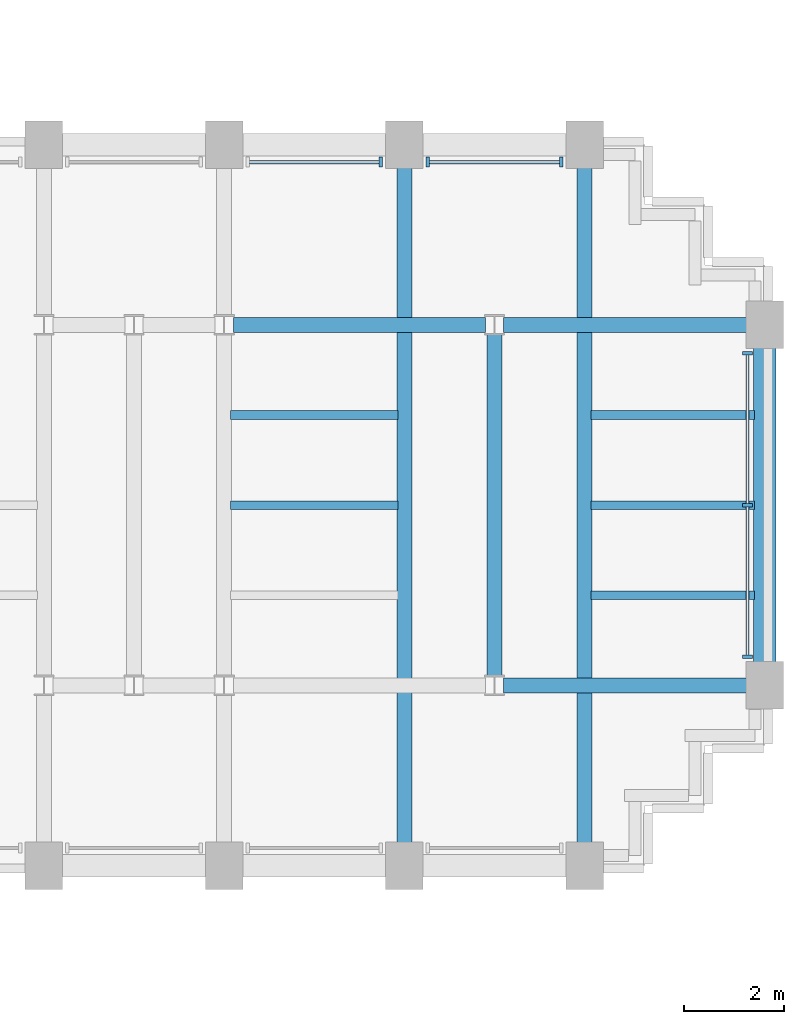
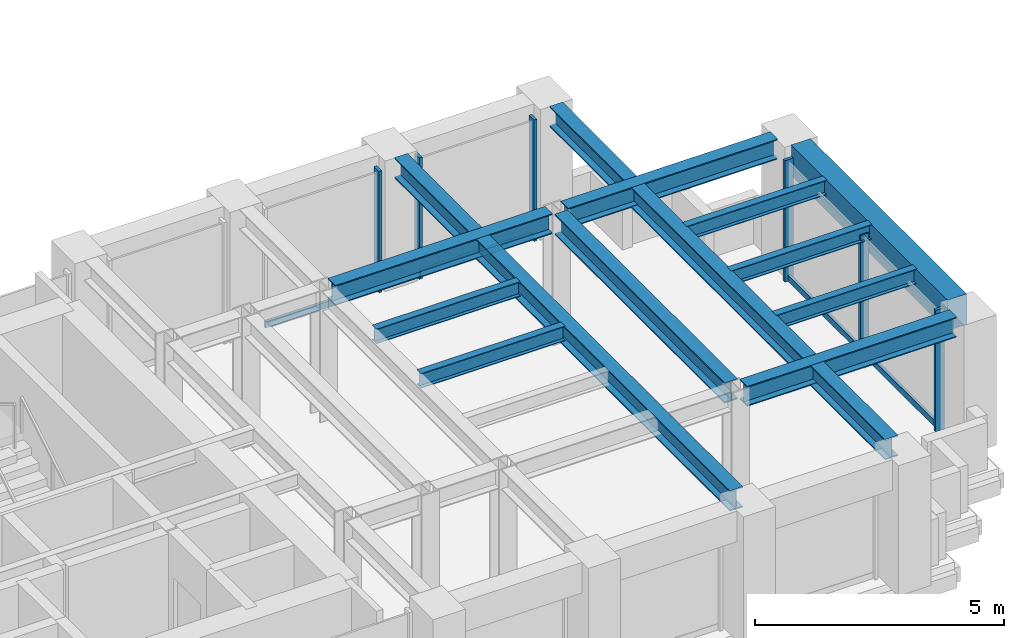
# One storey, part 6 of 16: 12 beams, 10 members, 3 elements without a shape of their own.
"""IFC4 building model written with IfcOpenShell, lengths in metres."""

from ifc_helpers import new_model, si_unit, direction, frame, origin, origin_2d, place, context, subcontext, project, spatial, rectangle, i_section, extrude, source, transform, mapped, material, material_profile, profile_set, type_object, element, aggregate, save


model = new_model("IFC4")

# Units and contexts
model_context = context("Model", 3, precision=1e-05, world=origin(), true_north=direction((0.0, 1.0)))
body_context = subcontext(model_context, "Body", "Model", "MODEL_VIEW")
ifc_project = project(units=[si_unit("LENGTHUNIT", "METRE"), si_unit("AREAUNIT", "SQUARE_METRE"), si_unit("VOLUMEUNIT", "CUBIC_METRE"), si_unit("PLANEANGLEUNIT", "RADIAN"), si_unit("MASSUNIT", "GRAM", prefix="KILO")], contexts=[model_context])

# Site, building, storey
site_placement = place(None, origin())
site = spatial("IfcSite", under=ifc_project, at=site_placement, CompositionType="ELEMENT")
building_placement = place(site_placement, origin())
building = spatial("IfcBuilding", under=site, at=building_placement, Name="Keilestroom Media Tower", CompositionType="ELEMENT")
storey_placement = place(building_placement, frame((0.0, 0.0, 68.0)))
storey = spatial("IfcBuildingStorey", under=building, at=storey_placement, Name="L17", CompositionType="ELEMENT", Elevation=68.0)

# Beams
ifc_material_1 = material(Name="Precast concrete C40/50", Category="concrete")
ifc_material_profile_1 = material_profile(ifc_material_1, rectangle(XDim=0.449951171875, YDim=0.75, at=origin_2d()), Name="PC 450x750")
ifc_profile_set_1 = profile_set([ifc_material_profile_1], Name="Precast concrete C40/50")
beam_type_1 = type_object("IfcBeamType", Name="Perimeter-Spandrel-Beam-PC-450x750", PredefinedType="SPANDREL", material=ifc_profile_set_1)
shared_shape_1 = source(origin(), body_context, "Body", "SweptSolid", [
    extrude(rectangle(XDim=0.449951171875, YDim=0.75, at=origin_2d()), origin(), (0.0, 0.0, 1.0), 6.2900390625),
])
beam_1_placement = place(storey_placement, frame((28.800048828125, -3.14501953125, 2.824951171875), z_axis=(0.0, 1.0, 0.0), x_axis=(-1.0, 0.0, 0.0)))
element("IfcBeam", 1, at=beam_1_placement, inside=storey, type_object=beam_type_1, Name="L17 Beam SPB-1 BM-L17-NS-086", PredefinedType="SPANDREL", context=body_context, shape_type="MappedRepresentation", body=[
    mapped(shared_shape_1, transform((0.0, 0.0, 0.0), x_axis=(1.0, 0.0, 0.0), y_axis=(0.0, 1.0, 0.0), z_axis=(0.0, 0.0, 1.0), scale=1.0)),
])
ifc_material_2 = material(Name="Steel S355", Category="steel")
ifc_material_profile_2 = material_profile(ifc_material_2, i_section(OverallWidth=0.300048828125, OverallDepth=0.5, WebThickness=0.012451171875, FlangeThickness=0.028076171875, at=origin_2d()), Name="HEB 500")
ifc_profile_set_2 = profile_set([ifc_material_profile_2], Name="Steel S355")
beam_type_2 = type_object("IfcBeamType", Name="Primary-Structural-Girder-HEB-500", PredefinedType="BEAM", material=ifc_profile_set_2)
shared_shape_2 = source(origin(), body_context, "Body", "SweptSolid", [
    extrude(i_section(OverallWidth=0.300048828125, OverallDepth=0.5, WebThickness=0.012451171875, FlangeThickness=0.028076171875, at=origin_2d()), origin(), (0.0, 0.0, 1.0), 13.490234375),
])
for number, where, z_axis, x_axis, name in (
    (2, (21.60009765625, -6.7451171875, 2.949951171875), (0.0, 1.0, 0.0), (-1.0, 0.0, 0.0), "L17 Beam BG-6 BM-L17-NS-083"),
    (3, (25.199951171875, -6.7451171875, 2.949951171875), (0.0, 1.0, 0.0), (-1.0, 0.0, 0.0), "L17 Beam BG-6 BM-L17-NS-085"),
):
    element("IfcBeam", number, at=place(storey_placement, frame(where, z_axis=z_axis, x_axis=x_axis)), inside=storey, type_object=beam_type_2, Name=name, PredefinedType="BEAM", context=body_context, shape_type="MappedRepresentation", body=[
        mapped(shared_shape_2, transform((0.0, 0.0, 0.0), x_axis=(1.0, 0.0, 0.0), y_axis=(0.0, 1.0, 0.0), z_axis=(0.0, 0.0, 1.0), scale=1.0)),
    ])
shared_shape_3 = source(origin(), body_context, "Body", "SweptSolid", [
    extrude(i_section(OverallWidth=0.300048828125, OverallDepth=0.5, WebThickness=0.012451171875, FlangeThickness=0.028076171875, at=origin_2d()), origin(), (0.0, 0.0, 1.0), 6.8330078125),
])
beam_2_placement = place(storey_placement, frame((23.39990234375, -3.41650390625, 2.949951171875), z_axis=(0.0, 1.0, 0.0), x_axis=(-1.0, 0.0, 0.0)))
element("IfcBeam", 4, at=beam_2_placement, inside=storey, type_object=beam_type_2, Name="L17 Beam BG-6 BM-L17-NS-084", PredefinedType="BEAM", context=body_context, shape_type="MappedRepresentation", body=[
    mapped(shared_shape_3, transform((0.0, 0.0, 0.0), x_axis=(1.0, 0.0, 0.0), y_axis=(0.0, 1.0, 0.0), z_axis=(0.0, 0.0, 1.0), scale=1.0)),
])
ifc_material_profile_3 = material_profile(ifc_material_2, i_section(OverallWidth=0.300048828125, OverallDepth=0.489990234375, WebThickness=0.011962890625, FlangeThickness=0.02294921875, at=origin_2d()), Name="HEA 500")
ifc_profile_set_3 = profile_set([ifc_material_profile_3], Name="Steel S355")
beam_type_3 = type_object("IfcBeamType", Name="Primary-Structural-Girder-HEA-500", PredefinedType="BEAM", material=ifc_profile_set_3)
shared_shape_4 = source(origin(), body_context, "Body", "SweptSolid", [
    extrude(i_section(OverallWidth=0.300048828125, OverallDepth=0.489990234375, WebThickness=0.011962890625, FlangeThickness=0.02294921875, at=origin_2d()), origin(), (0.0, 0.0, 1.0), 4.863037109375),
])
for number, where, z_axis, x_axis, name in (
    (5, (23.58203125, -3.60009765625, 2.955078125), (1.0, 0.0, 0.0), (0.0, 1.0, 0.0), "L17 Beam BG-10 BM-L17-EW-025"),
    (6, (23.58203125, 3.60009765625, 2.955078125), (1.0, 0.0, 0.0), (0.0, 1.0, 0.0), "L17 Beam BG-10 BM-L17-EW-033"),
):
    element("IfcBeam", number, at=place(storey_placement, frame(where, z_axis=z_axis, x_axis=x_axis)), inside=storey, type_object=beam_type_3, Name=name, PredefinedType="BEAM", context=body_context, shape_type="MappedRepresentation", body=[
        mapped(shared_shape_4, transform((0.0, 0.0, 0.0), x_axis=(1.0, 0.0, 0.0), y_axis=(0.0, 1.0, 0.0), z_axis=(0.0, 0.0, 1.0), scale=1.0)),
    ])
shared_shape_5 = source(origin(), body_context, "Body", "SweptSolid", [
    extrude(i_section(OverallWidth=0.300048828125, OverallDepth=0.489990234375, WebThickness=0.011962890625, FlangeThickness=0.02294921875, at=origin_2d()), origin(), (0.0, 0.0, 1.0), 5.0361328125),
])
beam_3_placement = place(storey_placement, frame((18.181884765625, 3.60009765625, 2.955078125), z_axis=(1.0, 0.0, 0.0), x_axis=(0.0, 1.0, 0.0)))
element("IfcBeam", 7, at=beam_3_placement, inside=storey, type_object=beam_type_3, Name="L17 Beam BG-10 BM-L17-EW-032", PredefinedType="BEAM", context=body_context, shape_type="MappedRepresentation", body=[
    mapped(shared_shape_5, transform((0.0, 0.0, 0.0), x_axis=(1.0, 0.0, 0.0), y_axis=(0.0, 1.0, 0.0), z_axis=(0.0, 0.0, 1.0), scale=1.0)),
])
ifc_material_profile_4 = material_profile(ifc_material_2, i_section(OverallWidth=0.169921875, OverallDepth=0.360107421875, WebThickness=0.008056640625, FlangeThickness=0.0126953125, at=origin_2d()), Name="IPE 360")
ifc_profile_set_4 = profile_set([ifc_material_profile_4], Name="Steel S355")
beam_type_4 = type_object("IfcBeamType", Name="Secondary-Floor-Joist-IPE-360", PredefinedType="JOIST", material=ifc_profile_set_4)
shared_shape_6 = source(origin(), body_context, "Body", "SweptSolid", [
    extrude(i_section(OverallWidth=0.169921875, OverallDepth=0.360107421875, WebThickness=0.008056640625, FlangeThickness=0.0126953125, at=origin_2d()), origin(), (0.0, 0.0, 1.0), 3.264892578125),
])
for number, where, z_axis, x_axis, name in (
    (8, (25.330078125, -1.800048828125, 3.02001953125), (1.0, 0.0, 0.0), (0.0, 1.0, 0.0), "L17 Beam BJ-5 JST-L17-095"),
    (9, (25.330078125, 0.0, 3.02001953125), (1.0, 0.0, 0.0), (0.0, 1.0, 0.0), "L17 Beam BJ-5 JST-L17-102"),
    (10, (25.330078125, 1.800048828125, 3.02001953125), (1.0, 0.0, 0.0), (0.0, 1.0, 0.0), "L17 Beam BJ-5 JST-L17-109"),
):
    element("IfcBeam", number, at=place(storey_placement, frame(where, z_axis=z_axis, x_axis=x_axis)), inside=storey, type_object=beam_type_4, Name=name, PredefinedType="JOIST", context=body_context, shape_type="MappedRepresentation", body=[
        mapped(shared_shape_6, transform((0.0, 0.0, 0.0), x_axis=(1.0, 0.0, 0.0), y_axis=(0.0, 1.0, 0.0), z_axis=(0.0, 0.0, 1.0), scale=1.0)),
    ])
shared_shape_7 = source(origin(), body_context, "Body", "SweptSolid", [
    extrude(i_section(OverallWidth=0.169921875, OverallDepth=0.360107421875, WebThickness=0.008056640625, FlangeThickness=0.0126953125, at=origin_2d()), origin(), (0.0, 0.0, 1.0), 3.340087890625),
])
for number, where, z_axis, x_axis, name in (
    (11, (18.1298828125, 0.0, 3.02001953125), (1.0, 0.0, 0.0), (0.0, 1.0, 0.0), "L17 Beam BJ-5 JST-L17-101"),
    (12, (18.1298828125, 1.800048828125, 3.02001953125), (1.0, 0.0, 0.0), (0.0, 1.0, 0.0), "L17 Beam BJ-5 JST-L17-108"),
):
    element("IfcBeam", number, at=place(storey_placement, frame(where, z_axis=z_axis, x_axis=x_axis)), inside=storey, type_object=beam_type_4, Name=name, PredefinedType="JOIST", context=body_context, shape_type="MappedRepresentation", body=[
        mapped(shared_shape_7, transform((0.0, 0.0, 0.0), x_axis=(1.0, 0.0, 0.0), y_axis=(0.0, 1.0, 0.0), z_axis=(0.0, 0.0, 1.0), scale=1.0)),
    ])

# Curtain wall, members
ifc_material_3 = material(Name="Anodised Aluminium Alloy", Category="aluminium")
curtain_wall_type = type_object("IfcCurtainWallType", Name="Unitised-Curtain-Wall-CW-1", PredefinedType="NOTDEFINED", material=ifc_material_3)
curtain_wall_1_placement = place(storey_placement, origin())
curtain_wall_1 = element("IfcCurtainWall", 13, at=curtain_wall_1_placement, inside=storey, type_object=curtain_wall_type, Name="L17 Curtain Wall CW-1 CW-L17-E-1", PredefinedType="NOTDEFINED")
ifc_material_profile_5 = material_profile(ifc_material_3, rectangle(XDim=0.070068359375, YDim=0.199951171875, at=origin_2d()), Name="ALU MULLION 70x200")
ifc_profile_set_5 = profile_set([ifc_material_profile_5], Name="Anodised Aluminium Alloy")
member_type_1 = type_object("IfcMemberType", Name="Curtain-Wall-Mullion-CW-1", PredefinedType="MULLION", material=ifc_profile_set_5)
shared_shape_8 = source(origin(), body_context, "Body", "SweptSolid", [
    extrude(rectangle(XDim=0.070068359375, YDim=0.199951171875, at=origin_2d()), origin(), (0.0, 0.0, 1.0), 2.97998046875),
])
member_1_placement = place(storey_placement, frame((28.449951171875, -3.030029296875, 0.0), z_axis=(0.0, 0.0, 1.0), x_axis=(0.0, 1.0, 0.0)))
member_1 = element("IfcMember", 14, at=member_1_placement, type_object=member_type_1, Name="CW-1 Mullion 00", PredefinedType="MULLION", context=body_context, shape_type="MappedRepresentation", body=[
    mapped(shared_shape_8, transform((0.0, 0.0, 0.0), x_axis=(1.0, 0.0, 0.0), y_axis=(0.0, 1.0, 0.0), z_axis=(0.0, 0.0, 1.0), scale=1.0)),
])
member_2_placement = place(storey_placement, frame((28.449951171875, 0.0, 0.0), z_axis=(0.0, 0.0, 1.0), x_axis=(0.0, 1.0, 0.0)))
member_2 = element("IfcMember", 15, at=member_2_placement, type_object=member_type_1, Name="CW-1 Mullion 01", PredefinedType="MULLION", context=body_context, shape_type="MappedRepresentation", body=[
    mapped(shared_shape_8, transform((0.0, 0.0, 0.0), x_axis=(1.0, 0.0, 0.0), y_axis=(0.0, 1.0, 0.0), z_axis=(0.0, 0.0, 1.0), scale=1.0)),
])
member_3_placement = place(storey_placement, frame((28.449951171875, 3.030029296875, 0.0), z_axis=(0.0, 0.0, 1.0), x_axis=(0.0, 1.0, 0.0)))
member_3 = element("IfcMember", 16, at=member_3_placement, type_object=member_type_1, Name="CW-1 Mullion 02", PredefinedType="MULLION", context=body_context, shape_type="MappedRepresentation", body=[
    mapped(shared_shape_8, transform((0.0, 0.0, 0.0), x_axis=(1.0, 0.0, 0.0), y_axis=(0.0, 1.0, 0.0), z_axis=(0.0, 0.0, 1.0), scale=1.0)),
])

# Curtain wall, member
curtain_wall_2_placement = place(storey_placement, origin())
curtain_wall_2 = element("IfcCurtainWall", 17, at=curtain_wall_2_placement, inside=storey, type_object=curtain_wall_type, Name="L17 Curtain Wall CW-1 CW-L17-NE-3", PredefinedType="NOTDEFINED")
member_4_placement = place(storey_placement, frame((21.1298828125, 6.85009765625, 0.0), z_axis=(0.0, 0.0, 1.0), x_axis=(1.0, 0.0, 0.0)))
member_4 = element("IfcMember", 18, at=member_4_placement, type_object=member_type_1, Name="CW-1 Mullion 01", PredefinedType="MULLION", context=body_context, shape_type="MappedRepresentation", body=[
    mapped(shared_shape_8, transform((0.0, 0.0, 0.0), x_axis=(1.0, 0.0, 0.0), y_axis=(0.0, 1.0, 0.0), z_axis=(0.0, 0.0, 1.0), scale=1.0)),
])

# Curtain wall, members
curtain_wall_3_placement = place(storey_placement, origin())
curtain_wall_3 = element("IfcCurtainWall", 19, at=curtain_wall_3_placement, inside=storey, type_object=curtain_wall_type, Name="L17 Curtain Wall CW-1 CW-L17-NE-4", PredefinedType="NOTDEFINED")
member_5_placement = place(storey_placement, frame((22.070068359375, 6.85009765625, 0.0), z_axis=(0.0, 0.0, 1.0), x_axis=(1.0, 0.0, 0.0)))
member_5 = element("IfcMember", 20, at=member_5_placement, type_object=member_type_1, Name="CW-1 Mullion 00", PredefinedType="MULLION", context=body_context, shape_type="MappedRepresentation", body=[
    mapped(shared_shape_8, transform((0.0, 0.0, 0.0), x_axis=(1.0, 0.0, 0.0), y_axis=(0.0, 1.0, 0.0), z_axis=(0.0, 0.0, 1.0), scale=1.0)),
])
member_6_placement = place(storey_placement, frame((24.72998046875, 6.85009765625, 0.0), z_axis=(0.0, 0.0, 1.0), x_axis=(1.0, 0.0, 0.0)))
member_6 = element("IfcMember", 21, at=member_6_placement, type_object=member_type_1, Name="CW-1 Mullion 01", PredefinedType="MULLION", context=body_context, shape_type="MappedRepresentation", body=[
    mapped(shared_shape_8, transform((0.0, 0.0, 0.0), x_axis=(1.0, 0.0, 0.0), y_axis=(0.0, 1.0, 0.0), z_axis=(0.0, 0.0, 1.0), scale=1.0)),
])

# Member
ifc_material_profile_6 = material_profile(ifc_material_3, rectangle(XDim=0.06494140625, YDim=0.14990234375, at=origin_2d()), Name="ALU TRANSOM 65x150")
ifc_profile_set_6 = profile_set([ifc_material_profile_6], Name="Anodised Aluminium Alloy")
member_type_2 = type_object("IfcMemberType", Name="Curtain-Wall-Transom-CW-1", PredefinedType="USERDEFINED", material=ifc_profile_set_6)
shared_shape_9 = source(origin(), body_context, "Body", "SweptSolid", [
    extrude(rectangle(XDim=0.06494140625, YDim=0.14990234375, at=origin_2d()), origin(), (0.0, 0.0, 1.0), 2.964111328125),
])
member_7_placement = place(storey_placement, frame((28.449951171875, -2.9970703125, 0.074951171875), z_axis=(0.0, 1.0, 0.0), x_axis=(-1.0, 0.0, 0.0)))
member_7 = element("IfcMember", 22, at=member_7_placement, type_object=member_type_2, Name="CW-1 Transom 00.1", ObjectType="TRANSOM", PredefinedType="USERDEFINED", context=body_context, shape_type="MappedRepresentation", body=[
    mapped(shared_shape_9, transform((0.0, 0.0, 0.0), x_axis=(1.0, 0.0, 0.0), y_axis=(0.0, 1.0, 0.0), z_axis=(0.0, 0.0, 1.0), scale=1.0)),
])

member_8_placement = place(storey_placement, frame((28.449951171875, 0.032958984375, 0.074951171875), z_axis=(0.0, 1.0, 0.0), x_axis=(-1.0, 0.0, 0.0)))
member_8 = element("IfcMember", 23, at=member_8_placement, type_object=member_type_2, Name="CW-1 Transom 01.1", ObjectType="TRANSOM", PredefinedType="USERDEFINED", context=body_context, shape_type="MappedRepresentation", body=[
    mapped(shared_shape_9, transform((0.0, 0.0, 0.0), x_axis=(1.0, 0.0, 0.0), y_axis=(0.0, 1.0, 0.0), z_axis=(0.0, 0.0, 1.0), scale=1.0)),
])

aggregate(curtain_wall_1, [member_1, member_2, member_3, member_7, member_8])

shared_shape_10 = source(origin(), body_context, "Body", "SweptSolid", [
    extrude(rectangle(XDim=0.06494140625, YDim=0.14990234375, at=origin_2d()), origin(), (0.0, 0.0, 1.0), 2.593994140625),
])
member_9_placement = place(storey_placement, frame((18.5029296875, 6.85009765625, 0.074951171875), z_axis=(1.0, 0.0, 0.0), x_axis=(0.0, 1.0, 0.0)))
member_9 = element("IfcMember", 24, at=member_9_placement, type_object=member_type_2, Name="CW-1 Transom 00.1", ObjectType="TRANSOM", PredefinedType="USERDEFINED", context=body_context, shape_type="MappedRepresentation", body=[
    mapped(shared_shape_10, transform((0.0, 0.0, 0.0), x_axis=(1.0, 0.0, 0.0), y_axis=(0.0, 1.0, 0.0), z_axis=(0.0, 0.0, 1.0), scale=1.0)),
])

aggregate(curtain_wall_2, [member_4, member_9])

member_10_placement = place(storey_placement, frame((22.10302734375, 6.85009765625, 0.074951171875), z_axis=(1.0, 0.0, 0.0), x_axis=(0.0, 1.0, 0.0)))
member_10 = element("IfcMember", 25, at=member_10_placement, type_object=member_type_2, Name="CW-1 Transom 00.1", ObjectType="TRANSOM", PredefinedType="USERDEFINED", context=body_context, shape_type="MappedRepresentation", body=[
    mapped(shared_shape_10, transform((0.0, 0.0, 0.0), x_axis=(1.0, 0.0, 0.0), y_axis=(0.0, 1.0, 0.0), z_axis=(0.0, 0.0, 1.0), scale=1.0)),
])

aggregate(curtain_wall_3, [member_5, member_6, member_10])

save(model, "model.ifc")
